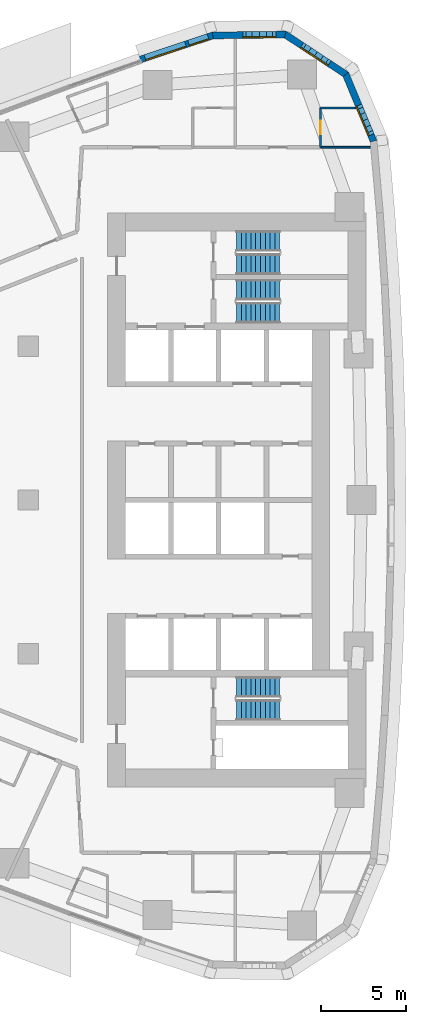
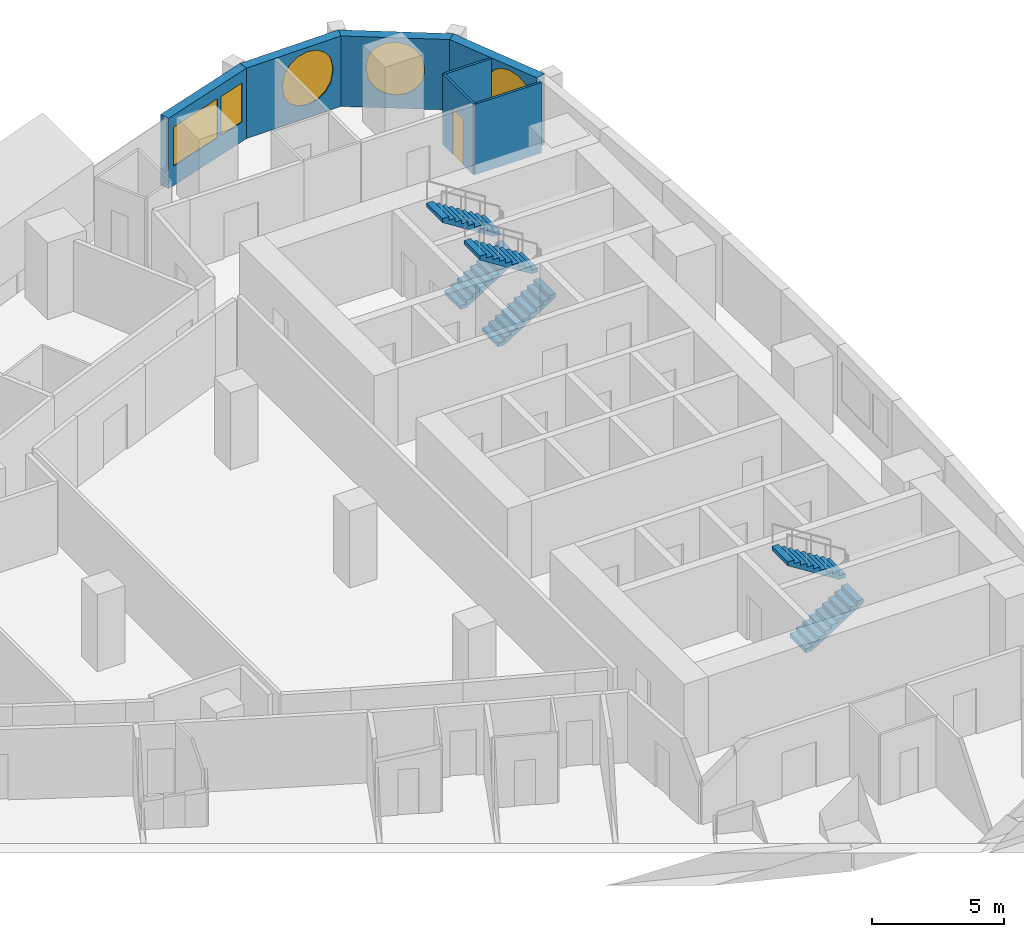
# One storey, part 13 of 17: 7 walls, 6 stair flights, 5 windows, 1 door, 6 openings, 3 elements without a shape of their own.
"""IFC4 building model written with IfcOpenShell, lengths in metres."""

from ifc_helpers import new_model, si_unit, direction, frame, frame_2d, origin, place, context, subcontext, project, spatial, polyline, rectangle, outline, extrude, material, layer, layer_set, type_object, element, fill, aggregate, save


model = new_model("IFC4")

# Units and contexts
model_context = context("Model", 3, precision=1e-05, world=origin(), true_north=direction((0.0, 1.0)))
body_context = subcontext(model_context, "Body", "Model", "MODEL_VIEW")
ifc_project = project(units=[si_unit("LENGTHUNIT", "METRE"), si_unit("AREAUNIT", "SQUARE_METRE"), si_unit("VOLUMEUNIT", "CUBIC_METRE"), si_unit("PLANEANGLEUNIT", "RADIAN"), si_unit("MASSUNIT", "GRAM", prefix="KILO")], contexts=[model_context])

# Site, building, storey
site_placement = place(None, origin())
site = spatial("IfcSite", under=ifc_project, at=site_placement, CompositionType="ELEMENT")
building_placement = place(site_placement, origin())
building = spatial("IfcBuilding", under=site, at=building_placement, Name="Ostrand Prow Hotel Tower", CompositionType="ELEMENT")
storey_placement = place(building_placement, frame((0.0, 0.0, 113.300048828125)))
storey = spatial("IfcBuildingStorey", under=building, at=storey_placement, Name="L27", CompositionType="ELEMENT", Elevation=113.300048828125)

# Wall, opening, door
ifc_material_1 = material(Name="Plasterboard partition")
ifc_layer_1 = layer(ifc_material_1, 0.10009765625)
ifc_layer_set_1 = layer_set([ifc_layer_1], Name="Plasterboard partition")
wall_type_1 = type_object("IfcWallType", Name="Partition 100 bathroom wall", PredefinedType="PARTITIONING", material=ifc_layer_set_1)
wall_1_placement = place(storey_placement, frame((62.111083984375, 20.64990234375, 0.0), z_axis=(0.0, 0.0, 1.0), x_axis=(0.0, 1.0, 0.0)))
wall_1 = element("IfcWall", 1, at=wall_1_placement, inside=storey, type_object=wall_type_1, Name="BATHROOM WALL", PredefinedType="PARTITIONING", context=body_context, shape_type="SweptSolid", body=[
    extrude(rectangle(XDim=2.300048828125, YDim=0.10009765625, at=frame_2d((1.14990234375, 0.0))), origin(), (0.0, 0.0, 1.0), 3.25),
])
opening_1_placement = place(wall_1_placement, frame((0.75, 0.0, 0.0)))
opening_1 = element("IfcOpeningElement", 2, at=opening_1_placement, cuts=wall_1, Name="Opening D2", PredefinedType="OPENING", context=body_context, shape_type="SweptSolid", body=[
    extrude(rectangle(XDim=0.800048828125, YDim=2.10009765625, at=frame_2d((0.39990234375, 1.050048828125))), frame((0.0, 0.06005859375, 0.0), z_axis=(0.0, -1.0, 0.0), x_axis=(1.0, 0.0, 0.0)), (0.0, 0.0, 1.0), 0.1201171875),
])
ifc_material_2 = material(Name="Timber door leaf", Category="wood")
door_type = type_object("IfcDoorType", Name="Bathroom door 800", OperationType="SINGLE_SWING_LEFT", PredefinedType="DOOR", material=ifc_material_2)
door_placement = place(opening_1_placement, origin())
door = element("IfcDoor", 3, at=door_placement, inside=storey, type_object=door_type, Name="DOOR", OperationType="SINGLE_SWING_LEFT", OverallHeight=2.10009765625, OverallWidth=0.800048828125, PredefinedType="DOOR", context=body_context, shape_type="SweptSolid", body=[
    extrude(rectangle(XDim=0.800048828125, YDim=2.10009765625, at=frame_2d((0.39990234375, 1.050048828125))), frame((0.0, 0.02490234375, 0.0), z_axis=(0.0, -1.0, 0.0), x_axis=(1.0, 0.0, 0.0)), (0.0, 0.0, 1.0), 0.050048828125),
])
fill(opening_1, door)

# Walls
wall_2_placement = place(storey_placement, frame((62.111083984375, 22.949951171875, 0.0), z_axis=(0.0, 0.0, 1.0), x_axis=(1.0, 0.0, 0.0)))
element("IfcWall", 4, at=wall_2_placement, inside=storey, type_object=wall_type_1, Name="BATHROOM WALL", PredefinedType="PARTITIONING", context=body_context, shape_type="SweptSolid", body=[
    extrude(rectangle(XDim=2.04931640625, YDim=0.10009765625, at=frame_2d((1.024658203125, 0.0))), origin(), (0.0, 0.0, 1.0), 3.25),
])
wall_3_placement = place(storey_placement, frame((65.016845703125, 20.655029296875, 0.0), z_axis=(0.0, 0.0, 1.0), x_axis=(-1.0, 0.0, 0.0)))
element("IfcWall", 5, at=wall_3_placement, inside=storey, type_object=wall_type_1, Name="BATHROOM WALL", PredefinedType="PARTITIONING", context=body_context, shape_type="SweptSolid", body=[
    extrude(rectangle(XDim=2.90576171875, YDim=0.10009765625, at=frame_2d((1.452880859375, 0.0))), origin(), (0.0, 0.0, 1.0), 3.25),
])

# Wall, opening, window
ifc_material_3 = material(Name="Precast concrete C40/50", Category="concrete")
ifc_layer_2 = layer(ifc_material_3, 0.39990234375)
ifc_layer_set_2 = layer_set([ifc_layer_2], Name="Precast concrete C40/50")
wall_type_2 = type_object("IfcWallType", Name="Stone-faced precast wall 400 mm", PredefinedType="NOTDEFINED", material=ifc_layer_set_2)
wall_4_placement = place(storey_placement, frame((65.21728515625, 21.001708984375, 0.0), z_axis=(0.0, 0.0, 1.0), x_axis=(-0.383997751971, 0.923334027577, 0.0)))
wall_4 = element("IfcWall", 6, at=wall_4_placement, inside=storey, type_object=wall_type_2, Name="Stone-faced wall back 15", PredefinedType="NOTDEFINED", context=body_context, shape_type="SweptSolid", body=[
    extrude(outline(polyline([(-0.031005859375, -0.199951171875), (4.300048828125, -0.199951171875), (4.177490234375, 0.199951171875), (0.031005859375, 0.199951171875), (-0.031005859375, -0.199951171875)])), origin(), (0.0, 0.0, 1.0), 3.25),
])
opening_2_placement = place(wall_4_placement, frame((0.28662109375, 0.0, 0.60009765625)))
opening_2 = element("IfcOpeningElement", 7, at=opening_2_placement, cuts=wall_4, Name="Opening WP1-21", PredefinedType="OPENING", context=body_context, shape_type="SweptSolid", body=[
    extrude(outline(polyline([(0.0, 1.39990234375), (0.079833984375, 1.8017578125), (0.3076171875, 2.142333984375), (0.648193359375, 2.3701171875), (1.050048828125, 2.449951171875), (1.451904296875, 2.3701171875), (1.79248046875, 2.142333984375), (2.020263671875, 1.8017578125), (2.10009765625, 1.39990234375), (2.10009765625, 1.050048828125), (2.020263671875, 0.648193359375), (1.79248046875, 0.3076171875), (1.451904296875, 0.079833984375), (1.050048828125, 0.0), (0.648193359375, 0.079833984375), (0.3076171875, 0.3076171875), (0.079833984375, 0.648193359375), (0.0, 1.050048828125), (0.0, 1.39990234375)])), frame((0.0, 0.2099609375, 0.0), z_axis=(0.0, -1.0, 0.0), x_axis=(1.0, 0.0, 0.0)), (0.0, 0.0, 1.0), 0.419921875),
])
ifc_material_4 = material(Name="Insulated glass in bronze frame", Category="glass")
window_type_1 = type_object("IfcWindowType", Name="Round-ended prow window 2100x2450", PartitioningType="SINGLE_PANEL", PredefinedType="WINDOW", material=ifc_material_4)
window_1_placement = place(opening_2_placement, origin())
window_1 = element("IfcWindow", 8, at=window_1_placement, inside=storey, type_object=window_type_1, Name="Window back 15.1", OverallHeight=2.449951171875, OverallWidth=2.10009765625, PartitioningType="SINGLE_PANEL", PredefinedType="WINDOW", context=body_context, shape_type="SweptSolid", body=[
    extrude(outline(polyline([(0.0, 1.39990234375), (0.079833984375, 1.8017578125), (0.3076171875, 2.142333984375), (0.648193359375, 2.3701171875), (1.050048828125, 2.449951171875), (1.451904296875, 2.3701171875), (1.79248046875, 2.142333984375), (2.020263671875, 1.8017578125), (2.10009765625, 1.39990234375), (2.10009765625, 1.050048828125), (2.020263671875, 0.648193359375), (1.79248046875, 0.3076171875), (1.451904296875, 0.079833984375), (1.050048828125, 0.0), (0.648193359375, 0.079833984375), (0.3076171875, 0.3076171875), (0.079833984375, 0.648193359375), (0.0, 1.050048828125), (0.0, 1.39990234375)])), frame((0.0, 0.169921875, 0.0), z_axis=(0.0, -1.0, 0.0), x_axis=(1.0, 0.0, 0.0)), (0.0, 0.0, 1.0), 0.06005859375),
])
fill(opening_2, window_1)

wall_5_placement = place(storey_placement, frame((63.589599609375, 24.91552734375, 0.0), z_axis=(0.0, 0.0, 1.0), x_axis=(-0.835340523653, 0.549732852887, 0.0)))
wall_5 = element("IfcWall", 9, at=wall_5_placement, inside=storey, type_object=wall_type_2, Name="Stone-faced wall back 16", PredefinedType="NOTDEFINED", context=body_context, shape_type="SweptSolid", body=[
    extrude(outline(polyline([(-0.061279296875, -0.199951171875), (4.30029296875, -0.199951171875), (4.177734375, 0.199951171875), (0.061279296875, 0.199951171875), (-0.061279296875, -0.199951171875)])), origin(), (0.0, 0.0, 1.0), 3.25),
])
opening_3_placement = place(wall_5_placement, frame((1.01953125, 0.0, 0.60009765625)))
opening_3 = element("IfcOpeningElement", 10, at=opening_3_placement, cuts=wall_5, Name="Opening WP1", PredefinedType="OPENING", context=body_context, shape_type="SweptSolid", body=[
    extrude(outline(polyline([(0.0, 1.35009765625), (0.083740234375, 1.77099609375), (0.322265625, 2.127685546875), (0.678955078125, 2.3662109375), (1.10009765625, 2.449951171875), (1.52099609375, 2.3662109375), (1.877685546875, 2.127685546875), (2.1162109375, 1.77099609375), (2.199951171875, 1.35009765625), (2.199951171875, 1.10009765625), (2.1162109375, 0.678955078125), (1.877685546875, 0.322265625), (1.52099609375, 0.083740234375), (1.10009765625, 0.0), (0.678955078125, 0.083740234375), (0.322265625, 0.322265625), (0.083740234375, 0.678955078125), (0.0, 1.099853515625), (0.0, 1.35009765625)])), frame((0.0, 0.2099609375, 0.0), z_axis=(0.0, -1.0, 0.0), x_axis=(1.0, 0.0, 0.0)), (0.0, 0.0, 1.0), 0.419921875),
])
ifc_material_5 = material(Name="Insulated glass in bronze frame", Category="glass")
window_type_2 = type_object("IfcWindowType", Name="Round-ended prow window 2200x2450", PartitioningType="SINGLE_PANEL", PredefinedType="WINDOW", material=ifc_material_5)
window_2_placement = place(opening_3_placement, origin())
window_2 = element("IfcWindow", 11, at=window_2_placement, inside=storey, type_object=window_type_2, Name="Window back 16.1", OverallHeight=2.449951171875, OverallWidth=2.199951171875, PartitioningType="SINGLE_PANEL", PredefinedType="WINDOW", context=body_context, shape_type="SweptSolid", body=[
    extrude(outline(polyline([(0.0, 1.35009765625), (0.083740234375, 1.77099609375), (0.322265625, 2.127685546875), (0.678955078125, 2.3662109375), (1.10009765625, 2.449951171875), (1.52099609375, 2.3662109375), (1.877685546875, 2.127685546875), (2.1162109375, 1.77099609375), (2.199951171875, 1.35009765625), (2.199951171875, 1.10009765625), (2.1162109375, 0.678955078125), (1.877685546875, 0.322265625), (1.52099609375, 0.083740234375), (1.10009765625, 0.0), (0.678955078125, 0.083740234375), (0.322265625, 0.322265625), (0.083740234375, 0.678955078125), (0.0, 1.099853515625), (0.0, 1.35009765625)])), frame((0.0, 0.169921875, 0.0), z_axis=(0.0, -1.0, 0.0), x_axis=(1.0, 0.0, 0.0)), (0.0, 0.0, 1.0), 0.06005859375),
])
fill(opening_3, window_2)

wall_6_placement = place(storey_placement, frame((60.048583984375, 27.245849609375, 0.0), z_axis=(0.0, 0.0, 1.0), x_axis=(-0.999919718849, -0.012671063772, 0.0)))
wall_6 = element("IfcWall", 12, at=wall_6_placement, inside=storey, type_object=wall_type_2, Name="Stone-faced wall back 17", PredefinedType="NOTDEFINED", context=body_context, shape_type="SweptSolid", body=[
    extrude(outline(polyline([(-0.061279296875, -0.199951171875), (4.269775390625, -0.199951171875), (4.207763671875, 0.199951171875), (0.061279296875, 0.199951171875), (-0.061279296875, -0.199951171875)])), origin(), (0.0, 0.0, 1.0), 3.25),
])
opening_4_placement = place(wall_6_placement, frame((0.418212890625, 0.0, 0.60009765625)))
opening_4 = element("IfcOpeningElement", 13, at=opening_4_placement, cuts=wall_6, Name="Opening WP1", PredefinedType="OPENING", context=body_context, shape_type="SweptSolid", body=[
    extrude(outline(polyline([(0.0, 1.35009765625), (0.083740234375, 1.77099609375), (0.322265625, 2.127685546875), (0.678955078125, 2.3662109375), (1.10009765625, 2.449951171875), (1.52099609375, 2.3662109375), (1.877685546875, 2.127685546875), (2.1162109375, 1.77099609375), (2.199951171875, 1.35009765625), (2.199951171875, 1.10009765625), (2.1162109375, 0.678955078125), (1.877685546875, 0.322265625), (1.52099609375, 0.083740234375), (1.10009765625, 0.0), (0.678955078125, 0.083740234375), (0.322265625, 0.322265625), (0.083740234375, 0.678955078125), (0.0, 1.099853515625), (0.0, 1.35009765625)])), frame((0.0, 0.2099609375, 0.0), z_axis=(0.0, -1.0, 0.0), x_axis=(1.0, 0.0, 0.0)), (0.0, 0.0, 1.0), 0.419921875),
])
window_3_placement = place(opening_4_placement, origin())
window_3 = element("IfcWindow", 14, at=window_3_placement, inside=storey, type_object=window_type_2, Name="Window back 17.1", OverallHeight=2.449951171875, OverallWidth=2.199951171875, PartitioningType="SINGLE_PANEL", PredefinedType="WINDOW", context=body_context, shape_type="SweptSolid", body=[
    extrude(outline(polyline([(0.0, 1.35009765625), (0.083740234375, 1.77099609375), (0.322265625, 2.127685546875), (0.678955078125, 2.3662109375), (1.10009765625, 2.449951171875), (1.52099609375, 2.3662109375), (1.877685546875, 2.127685546875), (2.1162109375, 1.77099609375), (2.199951171875, 1.35009765625), (2.199951171875, 1.10009765625), (2.1162109375, 0.678955078125), (1.877685546875, 0.322265625), (1.52099609375, 0.083740234375), (1.10009765625, 0.0), (0.678955078125, 0.083740234375), (0.322265625, 0.322265625), (0.083740234375, 0.678955078125), (0.0, 1.099853515625), (0.0, 1.35009765625)])), frame((0.0, 0.169921875, 0.0), z_axis=(0.0, -1.0, 0.0), x_axis=(1.0, 0.0, 0.0)), (0.0, 0.0, 1.0), 0.06005859375),
])
fill(opening_4, window_3)

# Wall, openings, windows
wall_7_placement = place(storey_placement, frame((55.81005859375, 27.192138671875, 0.0), z_axis=(0.0, 0.0, 1.0), x_axis=(-0.94925004851, -0.314522408429, 0.0)))
wall_7 = element("IfcWall", 15, at=wall_7_placement, inside=storey, type_object=wall_type_2, Name="Stone-faced wall back 18", PredefinedType="NOTDEFINED", context=body_context, shape_type="SweptSolid", body=[
    extrude(outline(polyline([(-0.031005859375, -0.199951171875), (4.468017578125, -0.199951171875), (4.468017578125, 0.199951171875), (0.031005859375, 0.199951171875), (-0.031005859375, -0.199951171875)])), origin(), (0.0, 0.0, 1.0), 3.25),
])
opening_5_placement = place(wall_7_placement, frame((0.283935546875, 0.0, 0.89990234375)))
opening_5 = element("IfcOpeningElement", 16, at=opening_5_placement, cuts=wall_7, Name="Opening WS4", PredefinedType="OPENING", context=body_context, shape_type="SweptSolid", body=[
    extrude(rectangle(XDim=1.199951171875, YDim=1.800048828125, at=frame_2d((0.60009765625, 0.89990234375))), frame((0.0, 0.2099609375, 0.0), z_axis=(0.0, -1.0, 0.0), x_axis=(1.0, 0.0, 0.0)), (0.0, 0.0, 1.0), 0.419921875),
])
opening_6_placement = place(wall_7_placement, frame((1.68408203125, 0.0, 0.89990234375)))
opening_6 = element("IfcOpeningElement", 17, at=opening_6_placement, cuts=wall_7, Name="Opening WS5-25", PredefinedType="OPENING", context=body_context, shape_type="SweptSolid", body=[
    extrude(rectangle(XDim=2.5, YDim=1.800048828125, at=frame_2d((1.25, 0.89990234375))), frame((0.0, 0.2099609375, 0.0), z_axis=(0.0, -1.0, 0.0), x_axis=(1.0, 0.0, 0.0)), (0.0, 0.0, 1.0), 0.419921875),
])
ifc_material_6 = material(Name="Insulated glass in bronze frame", Category="glass")
window_type_3 = type_object("IfcWindowType", Name="Fixed strip window 2500x1800", PartitioningType="SINGLE_PANEL", PredefinedType="WINDOW", material=ifc_material_6)
window_4_placement = place(opening_6_placement, origin())
window_4 = element("IfcWindow", 18, at=window_4_placement, inside=storey, type_object=window_type_3, Name="Window back 18.2", OverallHeight=1.800048828125, OverallWidth=2.5, PartitioningType="SINGLE_PANEL", PredefinedType="WINDOW", context=body_context, shape_type="SweptSolid", body=[
    extrude(rectangle(XDim=2.5, YDim=1.800048828125, at=frame_2d((1.25, 0.89990234375))), frame((0.0, 0.169921875, 0.0), z_axis=(0.0, -1.0, 0.0), x_axis=(1.0, 0.0, 0.0)), (0.0, 0.0, 1.0), 0.06005859375),
])
fill(opening_6, window_4)
ifc_material_7 = material(Name="Insulated glass in bronze frame", Category="glass")
window_type_4 = type_object("IfcWindowType", Name="Operable strip panel 1200x1800", PartitioningType="SINGLE_PANEL", PredefinedType="WINDOW", material=ifc_material_7)
window_5_placement = place(opening_5_placement, origin())
window_5 = element("IfcWindow", 19, at=window_5_placement, inside=storey, type_object=window_type_4, Name="Window back 18.1", OverallHeight=1.800048828125, OverallWidth=1.199951171875, PartitioningType="SINGLE_PANEL", PredefinedType="WINDOW", context=body_context, shape_type="SweptSolid", body=[
    extrude(rectangle(XDim=1.199951171875, YDim=1.800048828125, at=frame_2d((0.60009765625, 0.89990234375))), frame((0.0, 0.169921875, 0.0), z_axis=(0.0, -1.0, 0.0), x_axis=(1.0, 0.0, 0.0)), (0.0, 0.0, 1.0), 0.06005859375),
])
fill(opening_5, window_5)

# Stair, stair flights
ifc_material_8 = material(Name="Concrete C40/50", Category="concrete")
stair_type = type_object("IfcStairType", Name="Exit stair 1200 upper zone", PredefinedType="HALF_TURN_STAIR", material=ifc_material_8)
stair_1_placement = place(storey_placement, origin())
stair_1 = element("IfcStair", 20, at=stair_1_placement, inside=storey, type_object=stair_type, Name="L27 ST1C", PredefinedType="HALF_TURN_STAIR")
ifc_material_9 = material(Name="Concrete C40/50", Category="concrete")
stair_flight_type = type_object("IfcStairFlightType", Name="Stair flight 1200 concrete", PredefinedType="STRAIGHT", material=ifc_material_9)
stair_flight_1_placement = place(storey_placement, frame((57.199951171875, 10.949951171875, 0.0), z_axis=(0.0, 0.0, 1.0), x_axis=(1.0, 0.0, 0.0)))
stair_flight_1 = element("IfcStairFlight", 21, at=stair_flight_1_placement, type_object=stair_flight_type, Name="ST1C flight 1", NumberOfRisers=10, NumberOfTreads=9, PredefinedType="STRAIGHT", RiserHeight=0.1775, TreadLength=0.28, context=body_context, shape_type="SweptSolid", body=[
    extrude(outline(polyline([(0.0, 0.0), (0.0, 0.177490234375), (0.280029296875, 0.177490234375), (0.280029296875, 0.35498046875), (0.56005859375, 0.35498046875), (0.56005859375, 0.532470703125), (0.840087890625, 0.532470703125), (0.840087890625, 0.7099609375), (1.1201171875, 0.7099609375), (1.1201171875, 0.887451171875), (1.39990234375, 0.887451171875), (1.39990234375, 1.06494140625), (1.679931640625, 1.06494140625), (1.679931640625, 1.242431640625), (1.9599609375, 1.242431640625), (1.9599609375, 1.419921875), (2.239990234375, 1.419921875), (2.239990234375, 1.597412109375), (2.52001953125, 1.597412109375), (2.52001953125, 1.77490234375), (2.52001953125, 1.419921875), (0.280029296875, 0.0), (0.0, 0.0)])), frame((0.0, 0.60009765625, 0.0), z_axis=(0.0, -1.0, 0.0), x_axis=(1.0, 0.0, 0.0)), (0.0, 0.0, 1.0), 1.199951171875),
])
stair_flight_2_placement = place(storey_placement, frame((59.719970703125, 12.300048828125, 1.77490234375), z_axis=(0.0, 0.0, 1.0), x_axis=(-1.0, 0.0, 0.0)))
stair_flight_2 = element("IfcStairFlight", 22, at=stair_flight_2_placement, type_object=stair_flight_type, Name="ST1C flight 2", NumberOfRisers=10, NumberOfTreads=9, PredefinedType="STRAIGHT", RiserHeight=0.1775, TreadLength=0.28, context=body_context, shape_type="SweptSolid", body=[
    extrude(outline(polyline([(0.0, 0.0), (0.0, 0.177490234375), (0.280029296875, 0.177490234375), (0.280029296875, 0.35498046875), (0.56005859375, 0.35498046875), (0.56005859375, 0.532470703125), (0.840087890625, 0.532470703125), (0.840087890625, 0.7099609375), (1.1201171875, 0.7099609375), (1.1201171875, 0.887451171875), (1.39990234375, 0.887451171875), (1.39990234375, 1.06494140625), (1.679931640625, 1.06494140625), (1.679931640625, 1.242431640625), (1.9599609375, 1.242431640625), (1.9599609375, 1.419921875), (2.239990234375, 1.419921875), (2.239990234375, 1.597412109375), (2.52001953125, 1.597412109375), (2.52001953125, 1.77490234375), (2.52001953125, 1.419921875), (0.280029296875, 0.0), (0.0, 0.0)])), frame((0.0, 0.60009765625, 0.0), z_axis=(0.0, -1.0, 0.0), x_axis=(1.0, 0.0, 0.0)), (0.0, 0.0, 1.0), 1.199951171875),
])
aggregate(stair_1, [stair_flight_1, stair_flight_2])

stair_2_placement = place(storey_placement, origin())
stair_2 = element("IfcStair", 23, at=stair_2_placement, inside=storey, type_object=stair_type, Name="L27 ST3C", PredefinedType="HALF_TURN_STAIR")
stair_flight_3_placement = place(storey_placement, frame((57.199951171875, 13.800048828125, 0.0), z_axis=(0.0, 0.0, 1.0), x_axis=(1.0, 0.0, 0.0)))
stair_flight_3 = element("IfcStairFlight", 24, at=stair_flight_3_placement, type_object=stair_flight_type, Name="ST3C flight 1", NumberOfRisers=10, NumberOfTreads=9, PredefinedType="STRAIGHT", RiserHeight=0.1775, TreadLength=0.28, context=body_context, shape_type="SweptSolid", body=[
    extrude(outline(polyline([(0.0, 0.0), (0.0, 0.177490234375), (0.280029296875, 0.177490234375), (0.280029296875, 0.35498046875), (0.56005859375, 0.35498046875), (0.56005859375, 0.532470703125), (0.840087890625, 0.532470703125), (0.840087890625, 0.7099609375), (1.1201171875, 0.7099609375), (1.1201171875, 0.887451171875), (1.39990234375, 0.887451171875), (1.39990234375, 1.06494140625), (1.679931640625, 1.06494140625), (1.679931640625, 1.242431640625), (1.9599609375, 1.242431640625), (1.9599609375, 1.419921875), (2.239990234375, 1.419921875), (2.239990234375, 1.597412109375), (2.52001953125, 1.597412109375), (2.52001953125, 1.77490234375), (2.52001953125, 1.419921875), (0.280029296875, 0.0), (0.0, 0.0)])), frame((0.0, 0.60009765625, 0.0), z_axis=(0.0, -1.0, 0.0), x_axis=(1.0, 0.0, 0.0)), (0.0, 0.0, 1.0), 1.199951171875),
])
stair_flight_4_placement = place(storey_placement, frame((59.719970703125, 15.14990234375, 1.77490234375), z_axis=(0.0, 0.0, 1.0), x_axis=(-1.0, 0.0, 0.0)))
stair_flight_4 = element("IfcStairFlight", 25, at=stair_flight_4_placement, type_object=stair_flight_type, Name="ST3C flight 2", NumberOfRisers=10, NumberOfTreads=9, PredefinedType="STRAIGHT", RiserHeight=0.1775, TreadLength=0.28, context=body_context, shape_type="SweptSolid", body=[
    extrude(outline(polyline([(0.0, 0.0), (0.0, 0.177490234375), (0.280029296875, 0.177490234375), (0.280029296875, 0.35498046875), (0.56005859375, 0.35498046875), (0.56005859375, 0.532470703125), (0.840087890625, 0.532470703125), (0.840087890625, 0.7099609375), (1.1201171875, 0.7099609375), (1.1201171875, 0.887451171875), (1.39990234375, 0.887451171875), (1.39990234375, 1.06494140625), (1.679931640625, 1.06494140625), (1.679931640625, 1.242431640625), (1.9599609375, 1.242431640625), (1.9599609375, 1.419921875), (2.239990234375, 1.419921875), (2.239990234375, 1.597412109375), (2.52001953125, 1.597412109375), (2.52001953125, 1.77490234375), (2.52001953125, 1.419921875), (0.280029296875, 0.0), (0.0, 0.0)])), frame((0.0, 0.60009765625, 0.0), z_axis=(0.0, -1.0, 0.0), x_axis=(1.0, 0.0, 0.0)), (0.0, 0.0, 1.0), 1.199951171875),
])
aggregate(stair_2, [stair_flight_3, stair_flight_4])

stair_3_placement = place(storey_placement, origin())
stair_3 = element("IfcStair", 26, at=stair_3_placement, inside=storey, type_object=stair_type, Name="L27 ST2C", PredefinedType="HALF_TURN_STAIR")
stair_flight_5_placement = place(storey_placement, frame((57.199951171875, -12.300048828125, 0.0), z_axis=(0.0, 0.0, 1.0), x_axis=(1.0, 0.0, 0.0)))
stair_flight_5 = element("IfcStairFlight", 27, at=stair_flight_5_placement, type_object=stair_flight_type, Name="ST2C flight 1", NumberOfRisers=10, NumberOfTreads=9, PredefinedType="STRAIGHT", RiserHeight=0.1775, TreadLength=0.28, context=body_context, shape_type="SweptSolid", body=[
    extrude(outline(polyline([(0.0, 0.0), (0.0, 0.177490234375), (0.280029296875, 0.177490234375), (0.280029296875, 0.35498046875), (0.56005859375, 0.35498046875), (0.56005859375, 0.532470703125), (0.840087890625, 0.532470703125), (0.840087890625, 0.7099609375), (1.1201171875, 0.7099609375), (1.1201171875, 0.887451171875), (1.39990234375, 0.887451171875), (1.39990234375, 1.06494140625), (1.679931640625, 1.06494140625), (1.679931640625, 1.242431640625), (1.9599609375, 1.242431640625), (1.9599609375, 1.419921875), (2.239990234375, 1.419921875), (2.239990234375, 1.597412109375), (2.52001953125, 1.597412109375), (2.52001953125, 1.77490234375), (2.52001953125, 1.419921875), (0.280029296875, 0.0), (0.0, 0.0)])), frame((0.0, 0.60009765625, 0.0), z_axis=(0.0, -1.0, 0.0), x_axis=(1.0, 0.0, 0.0)), (0.0, 0.0, 1.0), 1.199951171875),
])
stair_flight_6_placement = place(storey_placement, frame((59.719970703125, -10.949951171875, 1.77490234375), z_axis=(0.0, 0.0, 1.0), x_axis=(-1.0, 0.0, 0.0)))
stair_flight_6 = element("IfcStairFlight", 28, at=stair_flight_6_placement, type_object=stair_flight_type, Name="ST2C flight 2", NumberOfRisers=10, NumberOfTreads=9, PredefinedType="STRAIGHT", RiserHeight=0.1775, TreadLength=0.28, context=body_context, shape_type="SweptSolid", body=[
    extrude(outline(polyline([(0.0, 0.0), (0.0, 0.177490234375), (0.280029296875, 0.177490234375), (0.280029296875, 0.35498046875), (0.56005859375, 0.35498046875), (0.56005859375, 0.532470703125), (0.840087890625, 0.532470703125), (0.840087890625, 0.7099609375), (1.1201171875, 0.7099609375), (1.1201171875, 0.887451171875), (1.39990234375, 0.887451171875), (1.39990234375, 1.06494140625), (1.679931640625, 1.06494140625), (1.679931640625, 1.242431640625), (1.9599609375, 1.242431640625), (1.9599609375, 1.419921875), (2.239990234375, 1.419921875), (2.239990234375, 1.597412109375), (2.52001953125, 1.597412109375), (2.52001953125, 1.77490234375), (2.52001953125, 1.419921875), (0.280029296875, 0.0), (0.0, 0.0)])), frame((0.0, 0.60009765625, 0.0), z_axis=(0.0, -1.0, 0.0), x_axis=(1.0, 0.0, 0.0)), (0.0, 0.0, 1.0), 1.199951171875),
])
aggregate(stair_3, [stair_flight_5, stair_flight_6])

save(model, "model.ifc")
